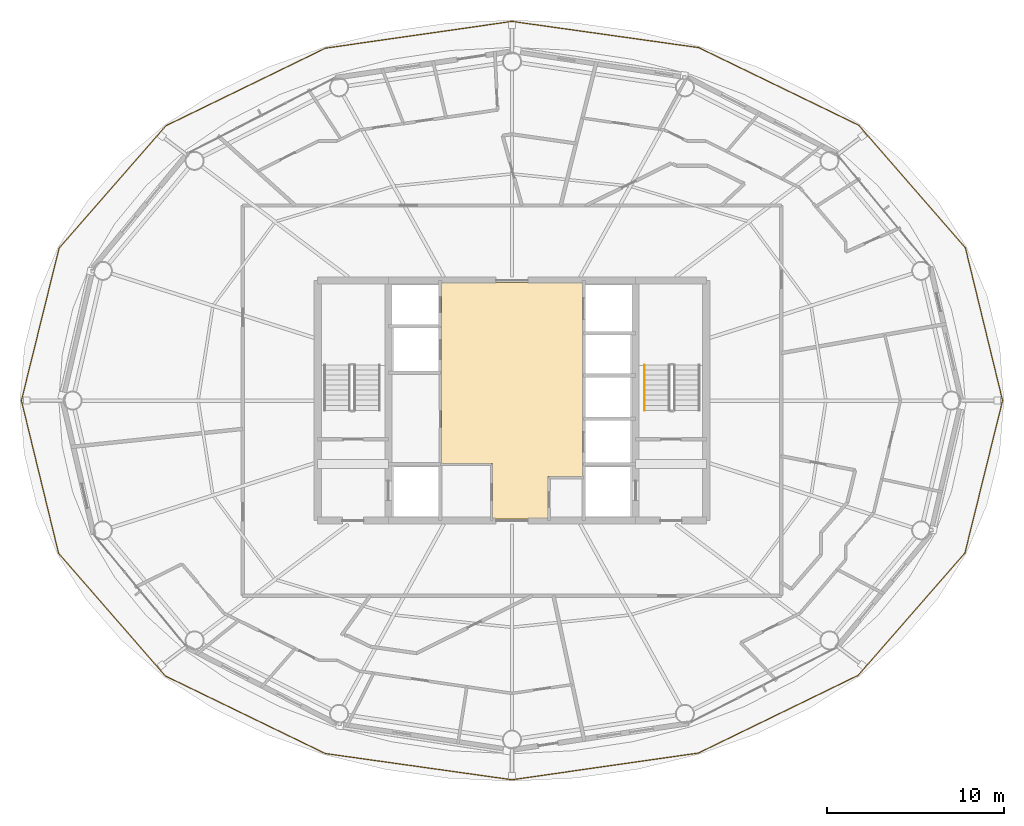
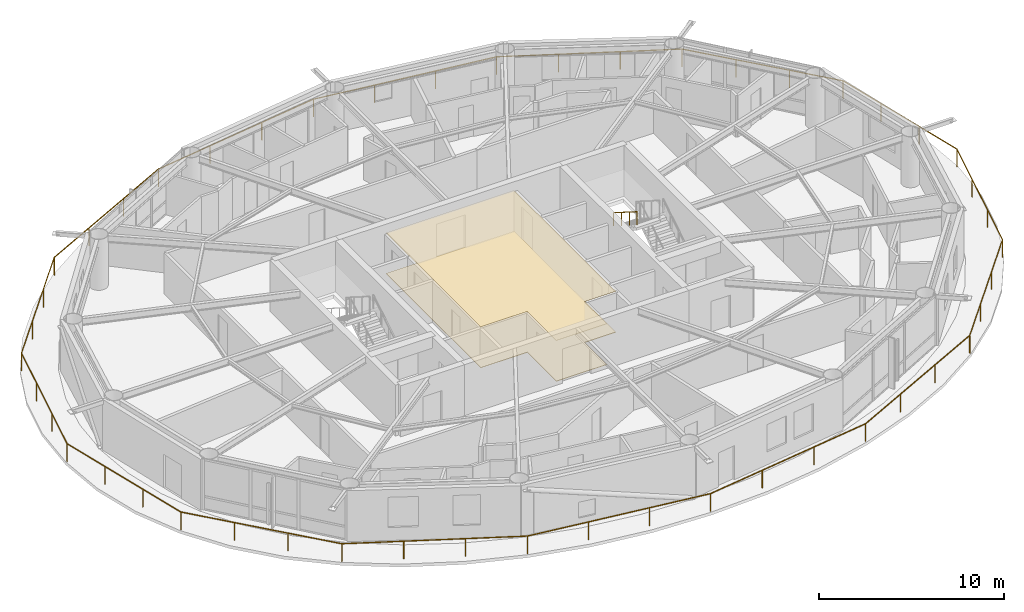
# One storey, part 22 of 23: 2 coverings, 2 railings.
"""IFC4 building model written with IfcOpenShell, lengths in metres."""

from ifc_helpers import new_model, si_unit, direction, frame, origin, origin_2d, place, context, subcontext, project, spatial, polyline, rectangle, outline, extrude, material, layer, layer_set, type_object, element, save


model = new_model("IFC4")

# Units and contexts
model_context = context("Model", 3, precision=1e-05, world=origin(), true_north=direction((0.0, 1.0)))
body_context = subcontext(model_context, "Body", "Model", "MODEL_VIEW")
ifc_project = project(units=[si_unit("LENGTHUNIT", "METRE"), si_unit("AREAUNIT", "SQUARE_METRE"), si_unit("VOLUMEUNIT", "CUBIC_METRE"), si_unit("PLANEANGLEUNIT", "RADIAN"), si_unit("MASSUNIT", "GRAM", prefix="KILO")], contexts=[model_context])

# Site, building, storey
site_placement = place(None, origin())
site = spatial("IfcSite", under=ifc_project, at=site_placement, CompositionType="ELEMENT")
building_placement = place(site_placement, origin())
building = spatial("IfcBuilding", under=site, at=building_placement, Name="Sarneth Arch Tower", CompositionType="ELEMENT")
storey_placement = place(building_placement, frame((0.0, 0.0, 246.0)))
storey = spatial("IfcBuildingStorey", under=building, at=storey_placement, Name="L63", CompositionType="ELEMENT", Elevation=246.0)

# Coverings
ifc_material_1 = material(Name="Perforated acoustic gypsum ceiling board")
ifc_layer_1 = layer(ifc_material_1, 0.02490234375)
ifc_layer_set_1 = layer_set([ifc_layer_1], Name="Perforated acoustic gypsum ceiling board")
covering_type_1 = type_object("IfcCoveringType", Name="COV-CEIL-GYP", PredefinedType="CEILING", material=ifc_layer_set_1)
covering_1_placement = place(storey_placement, frame((0.0, 0.0, 2.68994140625)))
element("IfcCovering", 1, at=covering_1_placement, inside=storey, type_object=covering_type_1, Name="L63 Lift lobby acoustic ceiling", PredefinedType="CEILING", context=body_context, shape_type="SweptSolid", body=[
    extrude(outline(polyline([(52.0, 37.699951171875), (50.050048828125, 37.699951171875), (50.050048828125, 35.300048828125), (46.89990234375, 35.300048828125), (46.89990234375, 38.449951171875), (44.0, 38.449951171875), (44.0, 48.699951171875), (52.0, 48.699951171875), (52.0, 37.699951171875)])), origin(), (0.0, 0.0, 1.0), 0.030029296875),
])
ifc_material_2 = material(Name="Honed granite stone flooring", Category="masonry")
ifc_layer_2 = layer(ifc_material_2, 0.030029296875)
ifc_layer_set_2 = layer_set([ifc_layer_2], Name="Honed granite stone flooring")
covering_type_2 = type_object("IfcCoveringType", Name="COV-FLR-STONE", PredefinedType="FLOORING", material=ifc_layer_set_2)
covering_2_placement = place(storey_placement, origin())
element("IfcCovering", 2, at=covering_2_placement, inside=storey, type_object=covering_type_2, Name="L63 Lift lobby granite flooring", PredefinedType="FLOORING", context=body_context, shape_type="SweptSolid", body=[
    extrude(outline(polyline([(52.0, 37.699951171875), (50.050048828125, 37.699951171875), (50.050048828125, 35.300048828125), (46.89990234375, 35.300048828125), (46.89990234375, 38.449951171875), (44.0, 38.449951171875), (44.0, 48.699951171875), (52.0, 48.699951171875), (52.0, 37.699951171875)])), origin(), (0.0, 0.0, 1.0), 0.030029296875),
])

# Railings
ifc_material_3 = material(Name="Laminated structural glass infill with Stainless Steel 316 top rail and posts", Category="steel")
railing_type_1 = type_object("IfcRailingType", Name="RAIL-BALC-1200", PredefinedType="BALUSTRADE", material=ifc_material_3)
railing_1_placement = place(storey_placement, frame((75.780029296875, 42.0, 0.0)))
element("IfcRailing", 3, at=railing_1_placement, inside=storey, type_object=railing_type_1, Name="L63 Helical balcony glass balustrade", PredefinedType="BALUSTRADE", context=body_context, shape_type="SweptSolid", body=[
    extrude(rectangle(XDim=0.048095703125, YDim=0.048095703125, at=origin_2d()), frame((0.0, 0.0, 1.17578125), z_axis=(-0.236580449101, 0.971611903541, 0.0), x_axis=(-0.971611903541, -0.236580449101, 0.0)), (0.0, 0.0, 1.0), 8.900634765625),
    extrude(rectangle(XDim=0.048095703125, YDim=0.048095703125, at=origin_2d()), frame((-2.105712890625, 8.64794921875, 1.17578125), z_axis=(-0.656426140343, 0.754390298369, 0.0), x_axis=(-0.754390298369, -0.656426140343, 0.0)), (0.0, 0.0, 1.0), 9.20849609375),
    extrude(rectangle(XDim=0.048095703125, YDim=0.048095703125, at=origin_2d()), frame((-8.150390625, 15.5947265625, 1.17578125), z_axis=(-0.899830837423, 0.43623899874, 0.0), x_axis=(-0.43623899874, -0.899830837423, 0.0)), (0.0, 0.0, 1.0), 10.068115234375),
    extrude(rectangle(XDim=0.048095703125, YDim=0.048095703125, at=origin_2d()), frame((-17.2099609375, 19.98681640625, 1.17578125), z_axis=(-0.990289226599, 0.139022471862, 0.0), x_axis=(-0.139022471862, -0.990289226599, 0.0)), (0.0, 0.0, 1.0), 10.673828125),
    extrude(rectangle(XDim=0.048095703125, YDim=0.048095703125, at=origin_2d()), frame((-27.780029296875, 21.470703125, 1.17578125), z_axis=(-0.989873835052, -0.14194995836, 0.0), x_axis=(0.14194995836, -0.989873835052, 0.0)), (0.0, 0.0, 1.0), 10.66845703125),
    extrude(rectangle(XDim=0.048095703125, YDim=0.048095703125, at=origin_2d()), frame((-38.340576171875, 19.956298828125, 1.17578125), z_axis=(-0.899264000798, -0.437406283526, 0.0), x_axis=(0.437406283526, -0.899264000798, 0.0)), (0.0, 0.0, 1.0), 10.0546875),
    extrude(rectangle(XDim=0.048095703125, YDim=0.048095703125, at=origin_2d()), frame((-47.38232421875, 15.558349609375, 1.17578125), z_axis=(-0.65751313992, -0.753443077367, 0.0), x_axis=(0.753443077367, -0.65751313992, 0.0)), (0.0, 0.0, 1.0), 9.1923828125),
    extrude(rectangle(XDim=0.048095703125, YDim=0.048095703125, at=origin_2d()), frame((-53.426513671875, 8.63232421875, 1.17578125), z_axis=(-0.239937744039, -0.970788277116, 0.0), x_axis=(0.970788277116, -0.239937744039, 0.0)), (0.0, 0.0, 1.0), 8.89208984375),
    extrude(rectangle(XDim=0.048095703125, YDim=0.048095703125, at=origin_2d()), frame((-55.56005859375, 0.0, 1.17578125), z_axis=(0.236580449101, -0.971611903541, 0.0), x_axis=(0.971611903541, 0.236580449101, 0.0)), (0.0, 0.0, 1.0), 8.900634765625),
    extrude(rectangle(XDim=0.048095703125, YDim=0.048095703125, at=origin_2d()), frame((-53.454345703125, -8.64794921875, 1.17578125), z_axis=(0.656426140343, -0.754390298369, 0.0), x_axis=(0.754390298369, 0.656426140343, 0.0)), (0.0, 0.0, 1.0), 9.20849609375),
    extrude(rectangle(XDim=0.048095703125, YDim=0.048095703125, at=origin_2d()), frame((-47.40966796875, -15.5947265625, 1.17578125), z_axis=(0.899830837423, -0.43623899874, 0.0), x_axis=(0.43623899874, 0.899830837423, 0.0)), (0.0, 0.0, 1.0), 10.068115234375),
    extrude(rectangle(XDim=0.048095703125, YDim=0.048095703125, at=origin_2d()), frame((-38.35009765625, -19.98681640625, 1.17578125), z_axis=(0.990289226599, -0.139022471862, 0.0), x_axis=(0.139022471862, 0.990289226599, 0.0)), (0.0, 0.0, 1.0), 10.673828125),
    extrude(rectangle(XDim=0.048095703125, YDim=0.048095703125, at=origin_2d()), frame((-27.780029296875, -21.470703125, 1.17578125), z_axis=(0.989873835052, 0.14194995836, 0.0), x_axis=(-0.14194995836, 0.989873835052, 0.0)), (0.0, 0.0, 1.0), 10.66845703125),
    extrude(rectangle(XDim=0.048095703125, YDim=0.048095703125, at=origin_2d()), frame((-17.219482421875, -19.956298828125, 1.17578125), z_axis=(0.899264000798, 0.437406283526, 0.0), x_axis=(-0.437406283526, 0.899264000798, 0.0)), (0.0, 0.0, 1.0), 10.0546875),
    extrude(rectangle(XDim=0.048095703125, YDim=0.048095703125, at=origin_2d()), frame((-8.177734375, -15.558349609375, 1.17578125), z_axis=(0.65751313992, 0.753443077367, 0.0), x_axis=(-0.753443077367, 0.65751313992, 0.0)), (0.0, 0.0, 1.0), 9.1923828125),
    extrude(rectangle(XDim=0.048095703125, YDim=0.048095703125, at=origin_2d()), frame((-2.133544921875, -8.63232421875, 1.17578125), z_axis=(0.239937744039, 0.970788277116, 0.0), x_axis=(-0.970788277116, 0.239937744039, 0.0)), (0.0, 0.0, 1.0), 8.89208984375),
    extrude(rectangle(XDim=0.0419921875, YDim=0.0419921875, at=origin_2d()), origin(), (0.0, 0.0, 1.0), 1.15185546875),
    extrude(rectangle(XDim=0.0419921875, YDim=0.0419921875, at=origin_2d()), frame((-0.701904296875, 2.882568359375, 0.0)), (0.0, 0.0, 1.0), 1.15185546875),
    extrude(rectangle(XDim=0.0419921875, YDim=0.0419921875, at=origin_2d()), frame((-1.40380859375, 5.765380859375, 0.0)), (0.0, 0.0, 1.0), 1.15185546875),
    extrude(rectangle(XDim=0.0419921875, YDim=0.0419921875, at=origin_2d()), frame((-2.105712890625, 8.64794921875, 0.0)), (0.0, 0.0, 1.0), 1.15185546875),
    extrude(rectangle(XDim=0.0419921875, YDim=0.0419921875, at=origin_2d()), frame((-4.12060546875, 10.963623046875, 0.0)), (0.0, 0.0, 1.0), 1.15185546875),
    extrude(rectangle(XDim=0.0419921875, YDim=0.0419921875, at=origin_2d()), frame((-6.135498046875, 13.279052734375, 0.0)), (0.0, 0.0, 1.0), 1.15185546875),
    extrude(rectangle(XDim=0.0419921875, YDim=0.0419921875, at=origin_2d()), frame((-8.150390625, 15.5947265625, 0.0)), (0.0, 0.0, 1.0), 1.15185546875),
    extrude(rectangle(XDim=0.0419921875, YDim=0.0419921875, at=origin_2d()), frame((-11.170166015625, 17.058837890625, 0.0)), (0.0, 0.0, 1.0), 1.15185546875),
    extrude(rectangle(XDim=0.0419921875, YDim=0.0419921875, at=origin_2d()), frame((-14.190185546875, 18.522705078125, 0.0)), (0.0, 0.0, 1.0), 1.15185546875),
    extrude(rectangle(XDim=0.0419921875, YDim=0.0419921875, at=origin_2d()), frame((-17.2099609375, 19.98681640625, 0.0)), (0.0, 0.0, 1.0), 1.15185546875),
    extrude(rectangle(XDim=0.0419921875, YDim=0.0419921875, at=origin_2d()), frame((-20.7333984375, 20.4814453125, 0.0)), (0.0, 0.0, 1.0), 1.15185546875),
    extrude(rectangle(XDim=0.0419921875, YDim=0.0419921875, at=origin_2d()), frame((-24.256591796875, 20.97607421875, 0.0)), (0.0, 0.0, 1.0), 1.15185546875),
    extrude(rectangle(XDim=0.0419921875, YDim=0.0419921875, at=origin_2d()), frame((-27.780029296875, 21.470703125, 0.0)), (0.0, 0.0, 1.0), 1.15185546875),
    extrude(rectangle(XDim=0.0419921875, YDim=0.0419921875, at=origin_2d()), frame((-31.30029296875, 20.9658203125, 0.0)), (0.0, 0.0, 1.0), 1.15185546875),
    extrude(rectangle(XDim=0.0419921875, YDim=0.0419921875, at=origin_2d()), frame((-34.8203125, 20.461181640625, 0.0)), (0.0, 0.0, 1.0), 1.15185546875),
    extrude(rectangle(XDim=0.0419921875, YDim=0.0419921875, at=origin_2d()), frame((-38.340576171875, 19.956298828125, 0.0)), (0.0, 0.0, 1.0), 1.15185546875),
    extrude(rectangle(XDim=0.0419921875, YDim=0.0419921875, at=origin_2d()), frame((-41.3544921875, 18.490234375, 0.0)), (0.0, 0.0, 1.0), 1.15185546875),
    extrude(rectangle(XDim=0.0419921875, YDim=0.0419921875, at=origin_2d()), frame((-44.368408203125, 17.0244140625, 0.0)), (0.0, 0.0, 1.0), 1.15185546875),
    extrude(rectangle(XDim=0.0419921875, YDim=0.0419921875, at=origin_2d()), frame((-47.38232421875, 15.558349609375, 0.0)), (0.0, 0.0, 1.0), 1.15185546875),
    extrude(rectangle(XDim=0.0419921875, YDim=0.0419921875, at=origin_2d()), frame((-49.39697265625, 13.249755859375, 0.0)), (0.0, 0.0, 1.0), 1.15185546875),
    extrude(rectangle(XDim=0.0419921875, YDim=0.0419921875, at=origin_2d()), frame((-51.411865234375, 10.94091796875, 0.0)), (0.0, 0.0, 1.0), 1.15185546875),
    extrude(rectangle(XDim=0.0419921875, YDim=0.0419921875, at=origin_2d()), frame((-53.426513671875, 8.63232421875, 0.0)), (0.0, 0.0, 1.0), 1.15185546875),
    extrude(rectangle(XDim=0.0419921875, YDim=0.0419921875, at=origin_2d()), frame((-54.1376953125, 5.7548828125, 0.0)), (0.0, 0.0, 1.0), 1.15185546875),
    extrude(rectangle(XDim=0.0419921875, YDim=0.0419921875, at=origin_2d()), frame((-54.848876953125, 2.87744140625, 0.0)), (0.0, 0.0, 1.0), 1.15185546875),
    extrude(rectangle(XDim=0.0419921875, YDim=0.0419921875, at=origin_2d()), frame((-55.56005859375, 0.0, 0.0)), (0.0, 0.0, 1.0), 1.15185546875),
    extrude(rectangle(XDim=0.0419921875, YDim=0.0419921875, at=origin_2d()), frame((-54.858154296875, -2.882568359375, 0.0)), (0.0, 0.0, 1.0), 1.15185546875),
    extrude(rectangle(XDim=0.0419921875, YDim=0.0419921875, at=origin_2d()), frame((-54.15625, -5.765380859375, 0.0)), (0.0, 0.0, 1.0), 1.15185546875),
    extrude(rectangle(XDim=0.0419921875, YDim=0.0419921875, at=origin_2d()), frame((-53.454345703125, -8.64794921875, 0.0)), (0.0, 0.0, 1.0), 1.15185546875),
    extrude(rectangle(XDim=0.0419921875, YDim=0.0419921875, at=origin_2d()), frame((-51.439453125, -10.963623046875, 0.0)), (0.0, 0.0, 1.0), 1.15185546875),
    extrude(rectangle(XDim=0.0419921875, YDim=0.0419921875, at=origin_2d()), frame((-49.424560546875, -13.279052734375, 0.0)), (0.0, 0.0, 1.0), 1.15185546875),
    extrude(rectangle(XDim=0.0419921875, YDim=0.0419921875, at=origin_2d()), frame((-47.40966796875, -15.5947265625, 0.0)), (0.0, 0.0, 1.0), 1.15185546875),
    extrude(rectangle(XDim=0.0419921875, YDim=0.0419921875, at=origin_2d()), frame((-44.389892578125, -17.058837890625, 0.0)), (0.0, 0.0, 1.0), 1.15185546875),
    extrude(rectangle(XDim=0.0419921875, YDim=0.0419921875, at=origin_2d()), frame((-41.369873046875, -18.522705078125, 0.0)), (0.0, 0.0, 1.0), 1.15185546875),
    extrude(rectangle(XDim=0.0419921875, YDim=0.0419921875, at=origin_2d()), frame((-38.35009765625, -19.98681640625, 0.0)), (0.0, 0.0, 1.0), 1.15185546875),
    extrude(rectangle(XDim=0.0419921875, YDim=0.0419921875, at=origin_2d()), frame((-34.82666015625, -20.4814453125, 0.0)), (0.0, 0.0, 1.0), 1.15185546875),
    extrude(rectangle(XDim=0.0419921875, YDim=0.0419921875, at=origin_2d()), frame((-31.303466796875, -20.97607421875, 0.0)), (0.0, 0.0, 1.0), 1.15185546875),
    extrude(rectangle(XDim=0.0419921875, YDim=0.0419921875, at=origin_2d()), frame((-27.780029296875, -21.470703125, 0.0)), (0.0, 0.0, 1.0), 1.15185546875),
    extrude(rectangle(XDim=0.0419921875, YDim=0.0419921875, at=origin_2d()), frame((-24.259765625, -20.9658203125, 0.0)), (0.0, 0.0, 1.0), 1.15185546875),
    extrude(rectangle(XDim=0.0419921875, YDim=0.0419921875, at=origin_2d()), frame((-20.73974609375, -20.461181640625, 0.0)), (0.0, 0.0, 1.0), 1.15185546875),
    extrude(rectangle(XDim=0.0419921875, YDim=0.0419921875, at=origin_2d()), frame((-17.219482421875, -19.956298828125, 0.0)), (0.0, 0.0, 1.0), 1.15185546875),
    extrude(rectangle(XDim=0.0419921875, YDim=0.0419921875, at=origin_2d()), frame((-14.20556640625, -18.490234375, 0.0)), (0.0, 0.0, 1.0), 1.15185546875),
    extrude(rectangle(XDim=0.0419921875, YDim=0.0419921875, at=origin_2d()), frame((-11.191650390625, -17.0244140625, 0.0)), (0.0, 0.0, 1.0), 1.15185546875),
    extrude(rectangle(XDim=0.0419921875, YDim=0.0419921875, at=origin_2d()), frame((-8.177734375, -15.558349609375, 0.0)), (0.0, 0.0, 1.0), 1.15185546875),
    extrude(rectangle(XDim=0.0419921875, YDim=0.0419921875, at=origin_2d()), frame((-6.1630859375, -13.249755859375, 0.0)), (0.0, 0.0, 1.0), 1.15185546875),
    extrude(rectangle(XDim=0.0419921875, YDim=0.0419921875, at=origin_2d()), frame((-4.148193359375, -10.94091796875, 0.0)), (0.0, 0.0, 1.0), 1.15185546875),
    extrude(rectangle(XDim=0.0419921875, YDim=0.0419921875, at=origin_2d()), frame((-2.133544921875, -8.63232421875, 0.0)), (0.0, 0.0, 1.0), 1.15185546875),
    extrude(rectangle(XDim=0.0419921875, YDim=0.0419921875, at=origin_2d()), frame((-1.42236328125, -5.7548828125, 0.0)), (0.0, 0.0, 1.0), 1.15185546875),
    extrude(rectangle(XDim=0.0419921875, YDim=0.0419921875, at=origin_2d()), frame((-0.711181640625, -2.87744140625, 0.0)), (0.0, 0.0, 1.0), 1.15185546875),
])
ifc_material_4 = material(Name="Brushed Stainless Steel 304 tubular handrail", Category="steel")
railing_type_2 = type_object("IfcRailingType", Name="RAIL-HANDRAIL-900", PredefinedType="HANDRAIL", material=ifc_material_4)
railing_2_placement = place(storey_placement, frame((55.5, 44.014892578125, 1.97998046875)))
element("IfcRailing", 4, at=railing_2_placement, inside=storey, type_object=railing_type_2, Name="L63 ST-2 stair handrail 2", PredefinedType="HANDRAIL", context=body_context, shape_type="SweptSolid", body=[
    extrude(rectangle(XDim=0.048095703125, YDim=0.048095703125, at=origin_2d()), frame((0.0, 0.0, 0.8759765625), z_axis=(0.0, -0.845465955043, 0.534029323973), x_axis=(1.0, 0.0, 0.0)), (0.0, 0.0, 1.0), 3.03369140625),
    extrude(rectangle(XDim=0.0419921875, YDim=0.0419921875, at=origin_2d()), origin(), (0.0, 0.0, 1.0), 0.851806640625),
    extrude(rectangle(XDim=0.0419921875, YDim=0.0419921875, at=origin_2d()), frame((0.0, -0.85498046875, 0.5400390625)), (0.0, 0.0, 1.0), 0.851806640625),
    extrude(rectangle(XDim=0.0419921875, YDim=0.0419921875, at=origin_2d()), frame((0.0, -1.7099609375, 1.080078125)), (0.0, 0.0, 1.0), 0.851806640625),
    extrude(rectangle(XDim=0.0419921875, YDim=0.0419921875, at=origin_2d()), frame((0.0, -2.56494140625, 1.6201171875)), (0.0, 0.0, 1.0), 0.851806640625),
])

save(model, "model.ifc")
